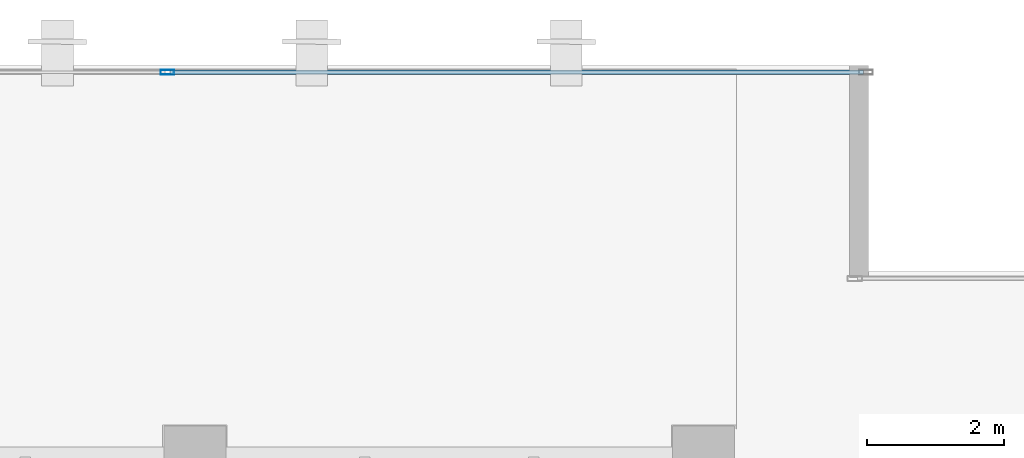
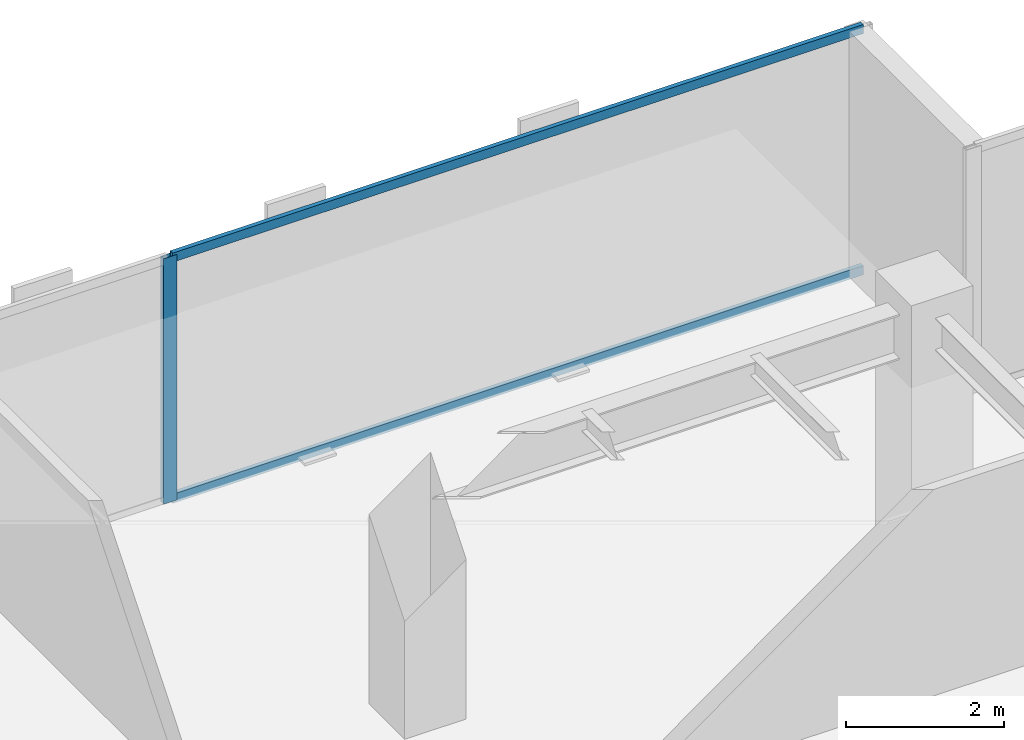
# One storey, part 20 of 34: 3 members, 1 element without a shape of its own.
"""IFC4 building model written with IfcOpenShell, lengths in metres."""

from ifc_helpers import new_model, si_unit, direction, frame, origin, origin_2d, place, context, subcontext, project, spatial, hollow_rectangle, extrude, source, transform, mapped, material, layer, layer_set, material_profile, profile_set, type_object, type_shapes, element, aggregate, save


model = new_model("IFC4")

# Units and contexts
model_context = context("Model", 3, precision=1e-05, world=origin(), true_north=direction((0.0, 1.0)))
body_context = subcontext(model_context, "Body", "Model", "MODEL_VIEW")
ifc_project = project(units=[si_unit("LENGTHUNIT", "METRE"), si_unit("AREAUNIT", "SQUARE_METRE"), si_unit("VOLUMEUNIT", "CUBIC_METRE"), si_unit("PLANEANGLEUNIT", "RADIAN"), si_unit("MASSUNIT", "GRAM", prefix="KILO")], contexts=[model_context])

# Site, building, storey
site_placement = place(None, origin())
site = spatial("IfcSite", under=ifc_project, at=site_placement, CompositionType="ELEMENT")
building_placement = place(site_placement, origin())
building = spatial("IfcBuilding", under=site, at=building_placement, Name="Haelvirn Gate Laboratories", CompositionType="ELEMENT")
storey_placement = place(building_placement, frame((0.0, 0.0, 158.39990234375)))
storey = spatial("IfcBuildingStorey", under=building, at=storey_placement, Name="L38", CompositionType="ELEMENT", Elevation=158.39990234375)

# Curtain wall, members
ifc_material_1 = material(Name="Anodised bronze unitised aluminium & triple low-E glass", Category="aluminium")
ifc_layer = layer(ifc_material_1, 0.179931640625, Name="CW-SYS-3")
ifc_layer_set = layer_set([ifc_layer], Name="Anodised bronze unitised aluminium & triple low-E glass")
curtain_wall_type = type_object("IfcCurtainWallType", Name="CW-SYS-3", PredefinedType="NOTDEFINED", material=ifc_layer_set)
curtain_wall_placement = place(storey_placement, origin())
curtain_wall = element("IfcCurtainWall", 1, at=curtain_wall_placement, inside=storey, type_object=curtain_wall_type, Name="L38 Unitised Curtain Wall CW-L38-P0-E10-1", PredefinedType="NOTDEFINED")
ifc_material_2 = material(Name="Extruded aluminium 6063-T6 (anodised bronze)", Category="aluminium")
ifc_material_profile_1 = material_profile(ifc_material_2, hollow_rectangle(XDim=0.06494140625, YDim=0.139892578125, WallThickness=0.00390625, at=origin_2d()), Name="CWT-140x65x4")
ifc_profile_set_1 = profile_set([ifc_material_profile_1], Name="Extruded aluminium 6063-T6 (anodised bronze)")
member_type_1 = type_object("IfcMemberType", Name="CWT-T140", PredefinedType="USERDEFINED", material=ifc_profile_set_1)
shared_shape_1 = source(origin(), body_context, "Body", "SweptSolid", [
    extrude(hollow_rectangle(XDim=0.06494140625, YDim=0.139892578125, WallThickness=0.00390625, at=origin_2d()), origin(), (0.0, 0.0, 1.0), 10.087646484375),
])
type_shapes(member_type_1, [shared_shape_1])
member_1_placement = place(storey_placement, frame((59.637451171875, 47.199951171875, 0.03271484375), z_axis=(1.0, 0.0, 0.0), x_axis=(0.0, 1.0, 0.0)))
member_1 = element("IfcMember", 2, at=member_1_placement, type_object=member_type_1, Name="CW3 transom 2.1", ObjectType="TRANSOM", PredefinedType="USERDEFINED", context=body_context, shape_type="MappedRepresentation", body=[
    mapped(shared_shape_1, transform((0.0, 0.0, 0.0), scale=1.0)),
])
member_2_placement = place(storey_placement, frame((59.637451171875, 47.199951171875, 3.757568359375), z_axis=(1.0, 0.0, 0.0), x_axis=(0.0, 1.0, 0.0)))
member_2 = element("IfcMember", 3, at=member_2_placement, type_object=member_type_1, Name="CW3 transom 2.2", ObjectType="TRANSOM", PredefinedType="USERDEFINED", context=body_context, shape_type="MappedRepresentation", body=[
    mapped(shared_shape_1, transform((0.0, 0.0, 0.0), scale=1.0)),
])
ifc_material_profile_2 = material_profile(ifc_material_2, hollow_rectangle(XDim=0.074951171875, YDim=0.199951171875, WallThickness=0.0048828125, at=origin_2d()), Name="CWM-200x75x5")
ifc_profile_set_2 = profile_set([ifc_material_profile_2], Name="Extruded aluminium 6063-T6 (anodised bronze)")
member_type_2 = type_object("IfcMemberType", Name="CWM-T200", PredefinedType="MULLION", material=ifc_profile_set_2)
shared_shape_2 = source(origin(), body_context, "Body", "SweptSolid", [
    extrude(hollow_rectangle(XDim=0.074951171875, YDim=0.199951171875, WallThickness=0.0048828125, at=origin_2d()), origin(), (0.0, 0.0, 1.0), 3.7900390625),
])
type_shapes(member_type_2, [shared_shape_2])
member_3_placement = place(storey_placement, frame((59.60009765625, 47.199951171875, 0.0), z_axis=(0.0, 0.0, 1.0), x_axis=(0.0, 1.0, 0.0)))
member_3 = element("IfcMember", 4, at=member_3_placement, type_object=member_type_2, Name="CW3 mullion 2", PredefinedType="MULLION", context=body_context, shape_type="MappedRepresentation", body=[
    mapped(shared_shape_2, transform((0.0, 0.0, 0.0), scale=1.0)),
])
aggregate(curtain_wall, [member_3, member_1, member_2])

save(model, "model.ifc")
